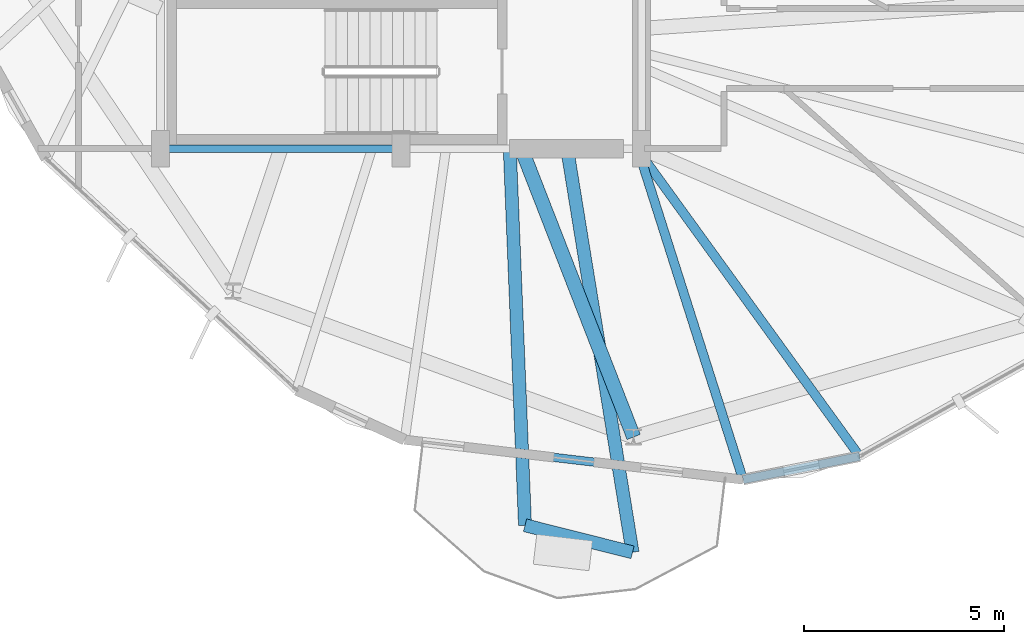
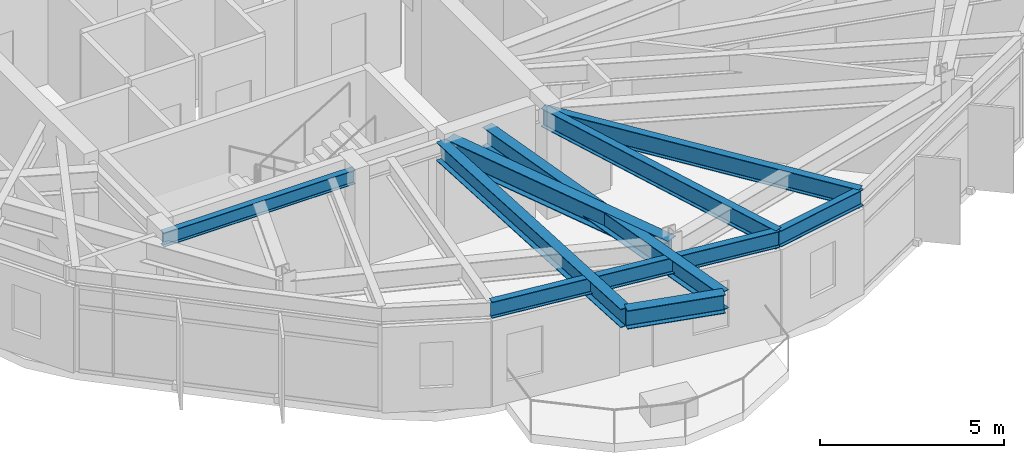
# One storey, part 4 of 25: 9 beams.
"""IFC4 building model written with IfcOpenShell, lengths in metres."""

from ifc_helpers import new_model, si_unit, direction, frame, origin, origin_2d, place, context, subcontext, project, spatial, i_section, extrude, material, material_profile, profile_set, type_object, element, save


model = new_model("IFC4")

# Units and contexts
model_context = context("Model", 3, precision=1e-05, world=origin(), true_north=direction((0.0, 1.0)))
body_context = subcontext(model_context, "Body", "Model", "MODEL_VIEW")
ifc_project = project(units=[si_unit("LENGTHUNIT", "METRE"), si_unit("AREAUNIT", "SQUARE_METRE"), si_unit("VOLUMEUNIT", "CUBIC_METRE"), si_unit("PLANEANGLEUNIT", "RADIAN"), si_unit("MASSUNIT", "GRAM", prefix="KILO")], contexts=[model_context])

# Site, building, storey
site_placement = place(None, origin())
site = spatial("IfcSite", under=ifc_project, at=site_placement, CompositionType="ELEMENT")
building_placement = place(site_placement, origin())
building = spatial("IfcBuilding", under=site, at=building_placement, Name="Soratama Intermodal Tower", CompositionType="ELEMENT")
storey_placement = place(building_placement, frame((0.0, 0.0, 272.5)))
storey = spatial("IfcBuildingStorey", under=building, at=storey_placement, Name="L69", CompositionType="ELEMENT", Elevation=272.5)

# Beams
ifc_material_1 = material(Name="Structural steel ASTM A992 Grade 50", Category="steel")
ifc_material_profile_1 = material_profile(ifc_material_1, i_section(OverallWidth=0.324951171875, OverallDepth=0.615966796875, WebThickness=0.013916015625, FlangeThickness=0.021484375, FilletRadius=0.013916015625, at=origin_2d()), Name="W24X117")
ifc_profile_set_1 = profile_set([ifc_material_profile_1], Name="Structural steel ASTM A992 Grade 50")
beam_type_1 = type_object("IfcBeamType", Name="BM-CANT-W24X117", PredefinedType="BEAM", material=ifc_profile_set_1)
beam_1_placement = place(storey_placement, frame((41.68994140625, 5.60888671875, 3.14208984375), z_axis=(0.969694331999, -0.244321309937, 0.0), x_axis=(0.244321309937, 0.969694331999, 0.0)))
element("IfcBeam", 1, at=beam_1_placement, inside=storey, type_object=beam_type_1, Name="BM-L69-CBHDR-3", PredefinedType="BEAM", context=body_context, shape_type="SweptSolid", body=[
    extrude(i_section(OverallWidth=0.324951171875, OverallDepth=0.615966796875, WebThickness=0.013916015625, FlangeThickness=0.021484375, FilletRadius=0.013916015625, at=origin_2d()), origin(), (0.0, 0.0, 1.0), 2.765869140625),
])
beam_2_placement = place(storey_placement, frame((41.31201171875, 14.9599609375, 3.14208984375), z_axis=(0.040382676526, -0.999184287024, 0.0), x_axis=(0.999184287024, 0.040382676526, 0.0)))
element("IfcBeam", 2, at=beam_2_placement, inside=storey, type_object=beam_type_1, Name="BM-L69-CANT-3-1", PredefinedType="BEAM", context=body_context, shape_type="SweptSolid", body=[
    extrude(i_section(OverallWidth=0.324951171875, OverallDepth=0.615966796875, WebThickness=0.013916015625, FlangeThickness=0.021484375, FilletRadius=0.013916015625, at=origin_2d()), origin(), (0.0, 0.0, 1.0), 9.358642578125),
])
beam_3_placement = place(storey_placement, frame((42.7470703125, 14.9609375, 3.14208984375), z_axis=(0.159962300126, -0.987123124305, 0.0), x_axis=(0.987123124305, 0.159962300126, 0.0)))
element("IfcBeam", 3, at=beam_3_placement, inside=storey, type_object=beam_type_1, Name="BM-L69-CANT-3-2", PredefinedType="BEAM", context=body_context, shape_type="SweptSolid", body=[
    extrude(i_section(OverallWidth=0.324951171875, OverallDepth=0.615966796875, WebThickness=0.013916015625, FlangeThickness=0.021484375, FilletRadius=0.013916015625, at=origin_2d()), origin(), (0.0, 0.0, 1.0), 10.15869140625),
])
ifc_material_2 = material(Name="Structural steel ASTM A992 Grade 50", Category="steel")
ifc_material_profile_2 = material_profile(ifc_material_2, i_section(OverallWidth=0.19091796875, OverallDepth=0.4599609375, WebThickness=0.010009765625, FlangeThickness=0.01611328125, FilletRadius=0.010986328125, at=origin_2d()), Name="W18X55")
ifc_profile_set_2 = profile_set([ifc_material_profile_2], Name="Structural steel ASTM A992 Grade 50")
beam_type_2 = type_object("IfcBeamType", Name="BM-FLR-W18X55", PredefinedType="BEAM", material=ifc_profile_set_2)
beam_4_placement = place(storey_placement, frame((32.60009765625, 15.0, 3.219970703125), z_axis=(1.0, 0.0, 0.0), x_axis=(0.0, 1.0, 0.0)))
element("IfcBeam", 4, at=beam_4_placement, inside=storey, type_object=beam_type_2, Name="BM-L69-CRING-01", PredefinedType="BEAM", context=body_context, shape_type="SweptSolid", body=[
    extrude(i_section(OverallWidth=0.19091796875, OverallDepth=0.4599609375, WebThickness=0.010009765625, FlangeThickness=0.01611328125, FilletRadius=0.010986328125, at=origin_2d()), origin(), (0.0, 0.0, 1.0), 6.0),
])
ifc_material_3 = material(Name="Structural steel ASTM A992 Grade 50", Category="steel")
ifc_material_profile_3 = material_profile(ifc_material_3, i_section(OverallWidth=0.35498046875, OverallDepth=0.695068359375, WebThickness=0.015380859375, FlangeThickness=0.02490234375, FilletRadius=0.01611328125, at=origin_2d()), Name="W27X146")
ifc_profile_set_3 = profile_set([ifc_material_profile_3], Name="Structural steel ASTM A992 Grade 50")
beam_type_3 = type_object("IfcBeamType", Name="BM-RING-W27X146", PredefinedType="BEAM", material=ifc_profile_set_3)
beam_5_placement = place(storey_placement, frame((41.60009765625, 15.0, 3.1025390625), z_axis=(0.362907405592, -0.931825206231, 0.0), x_axis=(0.931825206231, 0.362907405592, 0.0)))
element("IfcBeam", 5, at=beam_5_placement, inside=storey, type_object=beam_type_3, Name="BM-L69-RAD-08", PredefinedType="BEAM", context=body_context, shape_type="SweptSolid", body=[
    extrude(i_section(OverallWidth=0.35498046875, OverallDepth=0.695068359375, WebThickness=0.015380859375, FlangeThickness=0.02490234375, FilletRadius=0.01611328125, at=origin_2d()), origin(), (0.0, 0.0, 1.0), 7.71484375),
])
ifc_material_4 = material(Name="Structural steel ASTM A992 Grade 50", Category="steel")
ifc_material_profile_4 = material_profile(ifc_material_4, i_section(OverallWidth=0.2099609375, OverallDepth=0.537109375, WebThickness=0.010986328125, FlangeThickness=0.017333984375, FilletRadius=0.012939453125, at=origin_2d()), Name="W21X68")
ifc_profile_set_4 = profile_set([ifc_material_profile_4], Name="Structural steel ASTM A992 Grade 50")
beam_type_4 = type_object("IfcBeamType", Name="BM-SPN-W21X68", PredefinedType="SPANDREL", material=ifc_profile_set_4)
beam_6_placement = place(storey_placement, frame((38.68701171875, 7.739990234375, 3.181396484375), z_axis=(0.993140601989, -0.116926236066, 0.0), x_axis=(0.116926236066, 0.993140601989, 0.0)))
element("IfcBeam", 6, at=beam_6_placement, inside=storey, type_object=beam_type_4, Name="BS-L69-F06", PredefinedType="SPANDREL", context=body_context, shape_type="SweptSolid", body=[
    extrude(i_section(OverallWidth=0.2099609375, OverallDepth=0.537109375, WebThickness=0.010986328125, FlangeThickness=0.017333984375, FilletRadius=0.012939453125, at=origin_2d()), origin(), (0.0, 0.0, 1.0), 8.500244140625),
])
beam_7_placement = place(storey_placement, frame((47.12890625, 6.74609375, 3.181396484375), z_axis=(0.980710244845, 0.195467172835, 0.0), x_axis=(-0.195467172835, 0.980710244845, 0.0)))
element("IfcBeam", 7, at=beam_7_placement, inside=storey, type_object=beam_type_4, Name="BS-L69-CRN06", PredefinedType="SPANDREL", context=body_context, shape_type="SweptSolid", body=[
    extrude(i_section(OverallWidth=0.2099609375, OverallDepth=0.537109375, WebThickness=0.010986328125, FlangeThickness=0.017333984375, FilletRadius=0.012939453125, at=origin_2d()), origin(), (0.0, 0.0, 1.0), 2.96630859375),
])
ifc_material_5 = material(Name="Structural steel ASTM A992 Grade 50", Category="steel")
ifc_material_profile_5 = material_profile(ifc_material_5, i_section(OverallWidth=0.22900390625, OverallDepth=0.612060546875, WebThickness=0.011962890625, FlangeThickness=0.01953125, FilletRadius=0.012939453125, at=origin_2d()), Name="W24X84")
ifc_profile_set_5 = profile_set([ifc_material_profile_5], Name="Structural steel ASTM A992 Grade 50")
beam_type_5 = type_object("IfcBeamType", Name="BM-TIE-W24X84", PredefinedType="BEAM", material=ifc_profile_set_5)
beam_8_placement = place(storey_placement, frame((44.513916015625, 14.9619140625, 3.14404296875), z_axis=(0.303294820241, -0.952896768813, 0.0), x_axis=(0.952896768813, 0.303294820241, 0.0)))
element("IfcBeam", 8, at=beam_8_placement, inside=storey, type_object=beam_type_5, Name="BM-L69-TIE1-06", PredefinedType="BEAM", context=body_context, shape_type="SweptSolid", body=[
    extrude(i_section(OverallWidth=0.22900390625, OverallDepth=0.612060546875, WebThickness=0.011962890625, FlangeThickness=0.01953125, FilletRadius=0.012939453125, at=origin_2d()), origin(), (0.0, 0.0, 1.0), 8.621826171875),
])
beam_9_placement = place(storey_placement, frame((44.50390625, 14.968017578125, 3.14404296875), z_axis=(0.586527371278, -0.809929406024, 0.0), x_axis=(0.809929406024, 0.586527371278, 0.0)))
element("IfcBeam", 9, at=beam_9_placement, inside=storey, type_object=beam_type_5, Name="BM-L69-TIE0-07", PredefinedType="BEAM", context=body_context, shape_type="SweptSolid", body=[
    extrude(i_section(OverallWidth=0.22900390625, OverallDepth=0.612060546875, WebThickness=0.011962890625, FlangeThickness=0.01953125, FilletRadius=0.012939453125, at=origin_2d()), origin(), (0.0, 0.0, 1.0), 9.435546875),
])

save(model, "model.ifc")
